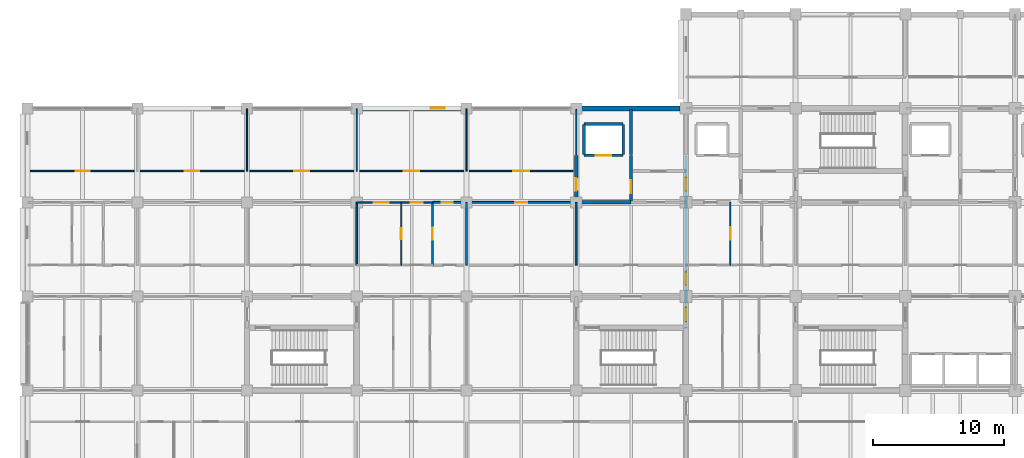
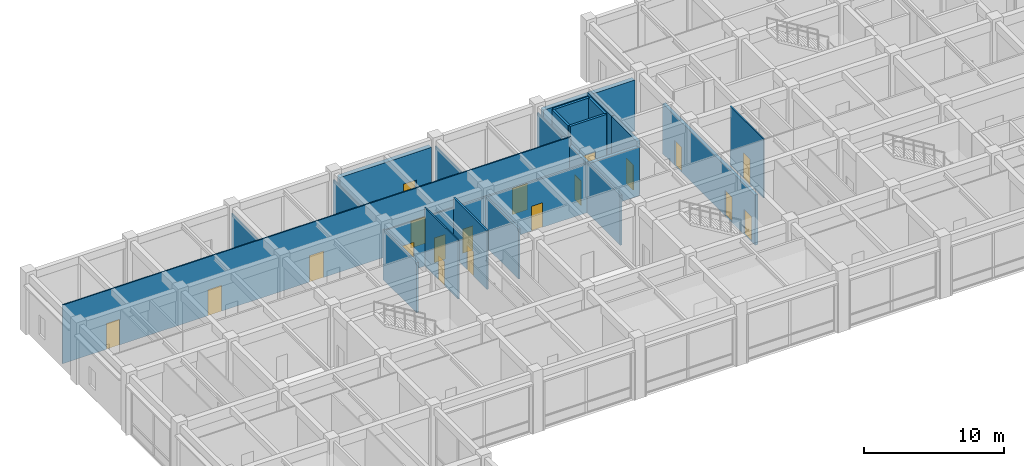
# One storey, part 28 of 51: 24 walls, 18 doors, 1 window, 19 openings.
"""IFC4 building model written with IfcOpenShell, lengths in metres."""

from ifc_helpers import new_model, si_unit, direction, frame, frame_2d, origin, place, context, subcontext, project, spatial, rectangle, extrude, material, layer, layer_set, type_object, element, fill, save


model = new_model("IFC4")

# Units and contexts
model_context = context("Model", 3, precision=1e-05, world=origin(), true_north=direction((0.0, 1.0)))
body_context = subcontext(model_context, "Body", "Model", "MODEL_VIEW")
ifc_project = project(units=[si_unit("LENGTHUNIT", "METRE"), si_unit("AREAUNIT", "SQUARE_METRE"), si_unit("VOLUMEUNIT", "CUBIC_METRE"), si_unit("PLANEANGLEUNIT", "RADIAN"), si_unit("MASSUNIT", "GRAM", prefix="KILO")], contexts=[model_context])

# Site, building, storey
site_placement = place(None, origin())
site = spatial("IfcSite", under=ifc_project, at=site_placement, CompositionType="ELEMENT")
building_placement = place(site_placement, origin())
building = spatial("IfcBuilding", under=site, at=building_placement, Name="Chengyuan Square Courthouse", CompositionType="ELEMENT")
storey_placement = place(building_placement, frame((0.0, 0.0, 10.800048828125)))
storey = spatial("IfcBuildingStorey", under=building, at=storey_placement, Name="L03", CompositionType="ELEMENT", Elevation=10.800048828125)

# Wall, opening, window
ifc_material_1 = material(Name="Concrete C40", Category="concrete")
ifc_layer_1 = layer(ifc_material_1, 0.3798828125)
ifc_layer_set_1 = layer_set([ifc_layer_1], Name="Concrete C40")
wall_type_1 = type_object("IfcWallType", Name="WL-EW1", PredefinedType="STANDARD", material=ifc_layer_set_1)
wall_1_placement = place(storey_placement, frame((25.6201171875, 108.0, 0.0), z_axis=(0.0, 0.0, 1.0), x_axis=(1.0, 0.0, 0.0)))
wall_1 = element("IfcWall", 1, at=wall_1_placement, inside=storey, type_object=wall_type_1, Name="Exterior Wall WL-L03-E269", PredefinedType="STANDARD", context=body_context, shape_type="SweptSolid", body=[
    extrude(rectangle(XDim=7.559814453125, YDim=0.3798828125, at=frame_2d((3.77978515625, 0.0))), origin(), (0.0, 0.0, 1.0), 4.469970703125),
])
opening_1_placement = place(wall_1_placement, frame((5.2548828125, 0.0, 0.85009765625)))
opening_1 = element("IfcOpeningElement", 2, at=opening_1_placement, cuts=wall_1, Name="Opening WN-068", PredefinedType="OPENING", context=body_context, shape_type="SweptSolid", body=[
    extrude(rectangle(XDim=1.050048828125, YDim=1.199951171875, at=frame_2d((0.52490234375, 0.60009765625))), frame((0.0, 0.201904296875, 0.0), z_axis=(0.0, -1.0, 0.0), x_axis=(1.0, 0.0, 0.0)), (0.0, 0.0, 1.0), 0.40380859375),
])
ifc_material_2 = material(Name="Thermally Broken Aluminium Triple Low-E Window", Category="aluminium")
window_type = type_object("IfcWindowType", Name="WT-07", PartitioningType="SINGLE_PANEL", PredefinedType="WINDOW", material=ifc_material_2)
window_placement = place(opening_1_placement, origin())
window = element("IfcWindow", 3, at=window_placement, inside=storey, type_object=window_type, Name="Facade Window WN-068", OverallHeight=1.199951171875, OverallWidth=1.050048828125, PartitioningType="SINGLE_PANEL", PredefinedType="WINDOW", context=body_context, shape_type="SweptSolid", body=[
    extrude(rectangle(XDim=1.050048828125, YDim=1.199951171875, at=frame_2d((0.52490234375, 0.60009765625))), frame((0.0, 0.030029296875, 0.0), z_axis=(0.0, -1.0, 0.0), x_axis=(1.0, 0.0, 0.0)), (0.0, 0.0, 1.0), 0.06005859375),
])
fill(opening_1, window)

# Walls
wall_2_placement = place(storey_placement, frame((42.419921875, 108.0, 0.0), z_axis=(0.0, 0.0, 1.0), x_axis=(1.0, 0.0, 0.0)))
element("IfcWall", 4, at=wall_2_placement, inside=storey, type_object=wall_type_1, Name="Exterior Wall WL-L03-E270", PredefinedType="STANDARD", context=body_context, shape_type="SweptSolid", body=[
    extrude(rectangle(XDim=7.53515625, YDim=0.3798828125, at=frame_2d((3.767578125, 0.0))), origin(), (0.0, 0.0, 1.0), 4.469970703125),
])
ifc_layer_2 = layer(ifc_material_1, 0.25)
ifc_layer_set_2 = layer_set([ifc_layer_2], Name="Concrete C40")
wall_type_2 = type_object("IfcWallType", Name="WL-FW1", PredefinedType="STANDARD", material=ifc_layer_set_2)
wall_3_placement = place(storey_placement, frame((42.0, 100.800048828125, 0.0), z_axis=(0.0, 0.0, 1.0), x_axis=(1.0, 0.0, 0.0)))
element("IfcWall", 5, at=wall_3_placement, inside=storey, type_object=wall_type_2, Name="Interior Wall WL-L03-I1479", PredefinedType="STANDARD", context=body_context, shape_type="SweptSolid", body=[
    extrude(rectangle(XDim=4.199951171875, YDim=0.25, at=frame_2d((2.10009765625, 0.0))), origin(), (0.0, 0.0, 1.0), 4.27001953125),
])

# Wall, opening, door
wall_4_placement = place(storey_placement, frame((42.0, 100.800048828125, 0.0), z_axis=(0.0, 0.0, 1.0), x_axis=(0.0, 1.0, 0.0)))
wall_4 = element("IfcWall", 6, at=wall_4_placement, inside=storey, type_object=wall_type_2, Name="Interior Wall WL-L03-I1585", PredefinedType="STANDARD", context=body_context, shape_type="SweptSolid", body=[
    extrude(rectangle(XDim=3.599853515625, YDim=0.25, at=frame_2d((1.7998046875, 0.0))), origin(), (0.0, 0.0, 1.0), 4.369873046875),
])
opening_2_placement = place(wall_4_placement, frame((0.8974609375, 0.0, 0.0)))
opening_2 = element("IfcOpeningElement", 7, at=opening_2_placement, cuts=wall_4, Name="Opening DR-1382", PredefinedType="OPENING", context=body_context, shape_type="SweptSolid", body=[
    extrude(rectangle(XDim=0.949951171875, YDim=2.14990234375, at=frame_2d((0.47509765625, 1.074951171875))), frame((0.0, 0.136962890625, 0.0), z_axis=(0.0, -1.0, 0.0), x_axis=(1.0, 0.0, 0.0)), (0.0, 0.0, 1.0), 0.27392578125),
])
ifc_material_3 = material(Name="Steel Q235B Fire Door", Category="steel")
door_type_1 = type_object("IfcDoorType", Name="DT-12", OperationType="NOTDEFINED", PredefinedType="DOOR", material=ifc_material_3)
door_1_placement = place(opening_2_placement, origin())
door_1 = element("IfcDoor", 8, at=door_1_placement, inside=storey, type_object=door_type_1, Name="Interior Door DR-1382", OperationType="SINGLE_SWING_LEFT", OverallHeight=2.14990234375, OverallWidth=0.949951171875, PredefinedType="DOOR", context=body_context, shape_type="SweptSolid", body=[
    extrude(rectangle(XDim=0.949951171875, YDim=2.14990234375, at=frame_2d((0.47509765625, 1.074951171875))), frame((0.0, 0.02490234375, 0.0), z_axis=(0.0, -1.0, 0.0), x_axis=(1.0, 0.0, 0.0)), (0.0, 0.0, 1.0), 0.050048828125),
])
fill(opening_2, door_1)

wall_5_placement = place(storey_placement, frame((46.199951171875, 100.800048828125, 0.0), z_axis=(0.0, 0.0, 1.0), x_axis=(0.0, 1.0, 0.0)))
wall_5 = element("IfcWall", 9, at=wall_5_placement, inside=storey, type_object=wall_type_2, Name="Interior Wall WL-L03-I1589", PredefinedType="STANDARD", context=body_context, shape_type="SweptSolid", body=[
    extrude(rectangle(XDim=3.599853515625, YDim=0.25, at=frame_2d((1.7998046875, 0.0))), origin(), (0.0, 0.0, 1.0), 4.719970703125),
])
opening_3_placement = place(wall_5_placement, frame((0.699951171875, 0.0, 0.0)))
opening_3 = element("IfcOpeningElement", 10, at=opening_3_placement, cuts=wall_5, Name="Opening DR-1381", PredefinedType="OPENING", context=body_context, shape_type="SweptSolid", body=[
    extrude(rectangle(XDim=1.0, YDim=2.199951171875, at=frame_2d((0.5, 1.10009765625))), frame((0.0, 0.136962890625, 0.0), z_axis=(0.0, -1.0, 0.0), x_axis=(1.0, 0.0, 0.0)), (0.0, 0.0, 1.0), 0.27392578125),
])
door_type_2 = type_object("IfcDoorType", Name="DT-11", OperationType="NOTDEFINED", PredefinedType="DOOR", material=ifc_material_3)
door_2_placement = place(opening_3_placement, origin())
door_2 = element("IfcDoor", 11, at=door_2_placement, inside=storey, type_object=door_type_2, Name="Interior Door DR-1381", OperationType="SINGLE_SWING_RIGHT", OverallHeight=2.199951171875, OverallWidth=1.0, PredefinedType="DOOR", context=body_context, shape_type="SweptSolid", body=[
    extrude(rectangle(XDim=1.0, YDim=2.199951171875, at=frame_2d((0.5, 1.10009765625))), frame((0.0, 0.02490234375, 0.0), z_axis=(0.0, -1.0, 0.0), x_axis=(1.0, 0.0, 0.0)), (0.0, 0.0, 1.0), 0.050048828125),
])
fill(opening_3, door_2)

# Wall
wall_6_placement = place(storey_placement, frame((46.199951171875, 104.449951171875, 0.0), z_axis=(0.0, 0.0, 1.0), x_axis=(0.0, 1.0, 0.0)))
element("IfcWall", 12, at=wall_6_placement, inside=storey, type_object=wall_type_2, Name="Interior Wall WL-L03-I1590", PredefinedType="STANDARD", context=body_context, shape_type="SweptSolid", body=[
    extrude(rectangle(XDim=3.4599609375, YDim=0.25, at=frame_2d((1.72998046875, 0.0))), origin(), (0.0, 0.0, 1.0), 4.719970703125),
])

# Wall, openings, doors
wall_7_placement = place(storey_placement, frame((50.39990234375, 91.199951171875, 0.0), z_axis=(0.0, 0.0, 1.0), x_axis=(0.0, 1.0, 0.0)))
wall_7 = element("IfcWall", 13, at=wall_7_placement, inside=storey, type_object=wall_type_2, Name="Interior Wall WL-L03-I1593", PredefinedType="STANDARD", context=body_context, shape_type="SweptSolid", body=[
    extrude(rectangle(XDim=13.199951171875, YDim=0.25, at=frame_2d((6.60009765625, 0.0))), origin(), (0.0, 0.0, 1.0), 4.369873046875),
])
opening_4_placement = place(wall_7_placement, frame((0.465087890625, 0.0, 0.0)))
opening_4 = element("IfcOpeningElement", 14, at=opening_4_placement, cuts=wall_7, Name="Opening DR-1341", PredefinedType="OPENING", context=body_context, shape_type="SweptSolid", body=[
    extrude(rectangle(XDim=1.10009765625, YDim=2.199951171875, at=frame_2d((0.550048828125, 1.10009765625))), frame((0.0, 0.136962890625, 0.0), z_axis=(0.0, -1.0, 0.0), x_axis=(1.0, 0.0, 0.0)), (0.0, 0.0, 1.0), 0.27392578125),
])
opening_5_placement = place(wall_7_placement, frame((10.485107421875, 0.0, 0.0)))
opening_5 = element("IfcOpeningElement", 15, at=opening_5_placement, cuts=wall_7, Name="Opening DR-1384", PredefinedType="OPENING", context=body_context, shape_type="SweptSolid", body=[
    extrude(rectangle(XDim=1.0, YDim=2.199951171875, at=frame_2d((0.5, 1.10009765625))), frame((0.0, 0.136962890625, 0.0), z_axis=(0.0, -1.0, 0.0), x_axis=(1.0, 0.0, 0.0)), (0.0, 0.0, 1.0), 0.27392578125),
])
opening_6_placement = place(wall_7_placement, frame((3.284912109375, 0.0, 0.0)))
opening_6 = element("IfcOpeningElement", 16, at=opening_6_placement, cuts=wall_7, Name="Opening DR-1447", PredefinedType="OPENING", context=body_context, shape_type="SweptSolid", body=[
    extrude(rectangle(XDim=1.0, YDim=2.199951171875, at=frame_2d((0.5, 1.10009765625))), frame((0.0, 0.136962890625, 0.0), z_axis=(0.0, -1.0, 0.0), x_axis=(1.0, 0.0, 0.0)), (0.0, 0.0, 1.0), 0.27392578125),
])
door_type_3 = type_object("IfcDoorType", Name="DT-10", OperationType="NOTDEFINED", PredefinedType="DOOR", material=ifc_material_3)
door_3_placement = place(opening_4_placement, origin())
door_3 = element("IfcDoor", 17, at=door_3_placement, inside=storey, type_object=door_type_3, Name="Interior Door DR-1341", OperationType="SINGLE_SWING_LEFT", OverallHeight=2.199951171875, OverallWidth=1.10009765625, PredefinedType="DOOR", context=body_context, shape_type="SweptSolid", body=[
    extrude(rectangle(XDim=1.10009765625, YDim=2.199951171875, at=frame_2d((0.550048828125, 1.10009765625))), frame((0.0, 0.02490234375, 0.0), z_axis=(0.0, -1.0, 0.0), x_axis=(1.0, 0.0, 0.0)), (0.0, 0.0, 1.0), 0.050048828125),
])
fill(opening_4, door_3)
door_4_placement = place(opening_5_placement, origin())
door_4 = element("IfcDoor", 18, at=door_4_placement, inside=storey, type_object=door_type_2, Name="Interior Door DR-1384", OperationType="SINGLE_SWING_LEFT", OverallHeight=2.199951171875, OverallWidth=1.0, PredefinedType="DOOR", context=body_context, shape_type="SweptSolid", body=[
    extrude(rectangle(XDim=1.0, YDim=2.199951171875, at=frame_2d((0.5, 1.10009765625))), frame((0.0, 0.02490234375, 0.0), z_axis=(0.0, -1.0, 0.0), x_axis=(1.0, 0.0, 0.0)), (0.0, 0.0, 1.0), 0.050048828125),
])
fill(opening_5, door_4)
door_5_placement = place(opening_6_placement, origin())
door_5 = element("IfcDoor", 19, at=door_5_placement, inside=storey, type_object=door_type_2, Name="Interior Door DR-1447", OperationType="SINGLE_SWING_RIGHT", OverallHeight=2.199951171875, OverallWidth=1.0, PredefinedType="DOOR", context=body_context, shape_type="SweptSolid", body=[
    extrude(rectangle(XDim=1.0, YDim=2.199951171875, at=frame_2d((0.5, 1.10009765625))), frame((0.0, 0.02490234375, 0.0), z_axis=(0.0, -1.0, 0.0), x_axis=(1.0, 0.0, 0.0)), (0.0, 0.0, 1.0), 0.050048828125),
])
fill(opening_6, door_5)

ifc_material_4 = material(Name="Deliberation Room Sound-Insulated Partition")
ifc_layer_3 = layer(ifc_material_4, 0.14990234375)
ifc_layer_set_3 = layer_set([ifc_layer_3], Name="Deliberation Room Sound-Insulated Partition")
wall_type_3 = type_object("IfcWallType", Name="WL-PT3", PredefinedType="STANDARD", material=ifc_layer_set_3)
wall_8_placement = place(storey_placement, frame((31.0, 100.800048828125, 0.0), z_axis=(0.0, 0.0, 1.0), x_axis=(1.0, 0.0, 0.0)))
wall_8 = element("IfcWall", 20, at=wall_8_placement, inside=storey, type_object=wall_type_3, Name="Interior Wall WL-L03-I1478", PredefinedType="STANDARD", context=body_context, shape_type="SweptSolid", body=[
    extrude(rectangle(XDim=11.0, YDim=0.14990234375, at=frame_2d((5.5, 0.0))), origin(), (0.0, 0.0, 1.0), 4.27001953125),
])
opening_7_placement = place(wall_8_placement, frame((0.697509765625, 0.0, 0.0)))
opening_7 = element("IfcOpeningElement", 21, at=opening_7_placement, cuts=wall_8, Name="Opening DR-1426", PredefinedType="OPENING", context=body_context, shape_type="SweptSolid", body=[
    extrude(rectangle(XDim=0.860107421875, YDim=2.10009765625, at=frame_2d((0.43017578125, 1.050048828125))), frame((0.0, 0.0869140625, 0.0), z_axis=(0.0, -1.0, 0.0), x_axis=(1.0, 0.0, 0.0)), (0.0, 0.0, 1.0), 0.173828125),
])
opening_8_placement = place(wall_8_placement, frame((6.340087890625, 0.0, 0.0)))
opening_8 = element("IfcOpeningElement", 22, at=opening_8_placement, cuts=wall_8, Name="Opening DR-1427", PredefinedType="OPENING", context=body_context, shape_type="SweptSolid", body=[
    extrude(rectangle(XDim=0.919921875, YDim=2.14990234375, at=frame_2d((0.4599609375, 1.074951171875))), frame((0.0, 0.0869140625, 0.0), z_axis=(0.0, -1.0, 0.0), x_axis=(1.0, 0.0, 0.0)), (0.0, 0.0, 1.0), 0.173828125),
])
ifc_material_5 = material(Name="Acoustic Solid-Core Timber Door", Category="wood")
door_type_4 = type_object("IfcDoorType", Name="DT-28", OperationType="NOTDEFINED", PredefinedType="DOOR", material=ifc_material_5)
door_6_placement = place(opening_7_placement, origin())
door_6 = element("IfcDoor", 23, at=door_6_placement, inside=storey, type_object=door_type_4, Name="Interior Door DR-1426", OperationType="SINGLE_SWING_RIGHT", OverallHeight=2.10009765625, OverallWidth=0.860107421875, PredefinedType="DOOR", context=body_context, shape_type="SweptSolid", body=[
    extrude(rectangle(XDim=0.860107421875, YDim=2.10009765625, at=frame_2d((0.43017578125, 1.050048828125))), frame((0.0, 0.02490234375, 0.0), z_axis=(0.0, -1.0, 0.0), x_axis=(1.0, 0.0, 0.0)), (0.0, 0.0, 1.0), 0.050048828125),
])
fill(opening_7, door_6)
door_type_5 = type_object("IfcDoorType", Name="DT-29", OperationType="NOTDEFINED", PredefinedType="DOOR", material=ifc_material_5)
door_7_placement = place(opening_8_placement, origin())
door_7 = element("IfcDoor", 24, at=door_7_placement, inside=storey, type_object=door_type_5, Name="Interior Door DR-1427", OperationType="SINGLE_SWING_LEFT", OverallHeight=2.14990234375, OverallWidth=0.919921875, PredefinedType="DOOR", context=body_context, shape_type="SweptSolid", body=[
    extrude(rectangle(XDim=0.919921875, YDim=2.14990234375, at=frame_2d((0.4599609375, 1.074951171875))), frame((0.0, 0.02490234375, 0.0), z_axis=(0.0, -1.0, 0.0), x_axis=(1.0, 0.0, 0.0)), (0.0, 0.0, 1.0), 0.050048828125),
])
fill(opening_8, door_7)

# Wall
wall_9_placement = place(storey_placement, frame((25.199951171875, 96.0, 0.0), z_axis=(0.0, 0.0, 1.0), x_axis=(0.0, 1.0, 0.0)))
element("IfcWall", 25, at=wall_9_placement, inside=storey, type_object=wall_type_3, Name="Interior Wall WL-L03-I1572", PredefinedType="STANDARD", context=body_context, shape_type="SweptSolid", body=[
    extrude(rectangle(XDim=4.800048828125, YDim=0.14990234375, at=frame_2d((2.39990234375, 0.0))), origin(), (0.0, 0.0, 1.0), 4.369873046875),
])

# Wall, opening, door
wall_10_placement = place(storey_placement, frame((31.0, 96.0, 0.0), z_axis=(0.0, 0.0, 1.0), x_axis=(0.0, 1.0, 0.0)))
wall_10 = element("IfcWall", 26, at=wall_10_placement, inside=storey, type_object=wall_type_3, Name="Interior Wall WL-L03-I1577", PredefinedType="STANDARD", context=body_context, shape_type="SweptSolid", body=[
    extrude(rectangle(XDim=4.800048828125, YDim=0.14990234375, at=frame_2d((2.39990234375, 0.0))), origin(), (0.0, 0.0, 1.0), 5.119873046875),
])
opening_9_placement = place(wall_10_placement, frame((1.93994140625, 0.0, 0.0)))
opening_9 = element("IfcOpeningElement", 27, at=opening_9_placement, cuts=wall_10, Name="Opening DR-1512", PredefinedType="OPENING", context=body_context, shape_type="SweptSolid", body=[
    extrude(rectangle(XDim=0.919921875, YDim=2.14990234375, at=frame_2d((0.4599609375, 1.074951171875))), frame((0.0, 0.0869140625, 0.0), z_axis=(0.0, -1.0, 0.0), x_axis=(1.0, 0.0, 0.0)), (0.0, 0.0, 1.0), 0.173828125),
])
door_8_placement = place(opening_9_placement, origin())
door_8 = element("IfcDoor", 28, at=door_8_placement, inside=storey, type_object=door_type_5, Name="Interior Door DR-1512", OperationType="SINGLE_SWING_RIGHT", OverallHeight=2.14990234375, OverallWidth=0.919921875, PredefinedType="DOOR", context=body_context, shape_type="SweptSolid", body=[
    extrude(rectangle(XDim=0.919921875, YDim=2.14990234375, at=frame_2d((0.4599609375, 1.074951171875))), frame((0.0, 0.02490234375, 0.0), z_axis=(0.0, -1.0, 0.0), x_axis=(1.0, 0.0, 0.0)), (0.0, 0.0, 1.0), 0.050048828125),
])
fill(opening_9, door_8)

# Walls
for number, where, z_axis, x_axis, name in (
    (29, (33.60009765625, 96.0, 0.0), (0.0, 0.0, 1.0), (0.0, 1.0, 0.0), "Interior Wall WL-L03-I1580"),
    (30, (42.0, 96.0, 0.0), (0.0, 0.0, 1.0), (0.0, 1.0, 0.0), "Interior Wall WL-L03-I1584"),
):
    element("IfcWall", number, at=place(storey_placement, frame(where, z_axis=z_axis, x_axis=x_axis)), inside=storey, type_object=wall_type_3, Name=name, PredefinedType="STANDARD", context=body_context, shape_type="SweptSolid", body=[
        extrude(rectangle(XDim=4.800048828125, YDim=0.14990234375, at=frame_2d((2.39990234375, 0.0))), origin(), (0.0, 0.0, 1.0), 4.369873046875),
    ])

# Wall, openings, doors
ifc_material_6 = material(Name="Gypsum Plasterboard Acoustic Stud Partition")
ifc_layer_4 = layer(ifc_material_6, 0.10009765625)
ifc_layer_set_4 = layer_set([ifc_layer_4], Name="Gypsum Plasterboard Acoustic Stud Partition")
wall_type_4 = type_object("IfcWallType", Name="WL-PT6", PredefinedType="STANDARD", material=ifc_layer_set_4)
wall_11_placement = place(storey_placement, frame((25.199951171875, 100.800048828125, 0.0), z_axis=(0.0, 0.0, 1.0), x_axis=(1.0, 0.0, 0.0)))
wall_11 = element("IfcWall", 31, at=wall_11_placement, inside=storey, type_object=wall_type_4, Name="Interior Wall WL-L03-I1477", PredefinedType="STANDARD", context=body_context, shape_type="SweptSolid", body=[
    extrude(rectangle(XDim=5.800048828125, YDim=0.10009765625, at=frame_2d((2.89990234375, 0.0))), origin(), (0.0, 0.0, 1.0), 4.27001953125),
])
opening_10_placement = place(wall_11_placement, frame((1.302490234375, 0.0, 0.0)))
opening_10 = element("IfcOpeningElement", 32, at=opening_10_placement, cuts=wall_11, Name="Opening DR-1424", PredefinedType="OPENING", context=body_context, shape_type="SweptSolid", body=[
    extrude(rectangle(XDim=1.139892578125, YDim=2.39990234375, at=frame_2d((0.56982421875, 1.199951171875))), frame((0.0, 0.06201171875, 0.0), z_axis=(0.0, -1.0, 0.0), x_axis=(1.0, 0.0, 0.0)), (0.0, 0.0, 1.0), 0.1240234375),
])
opening_11_placement = place(wall_11_placement, frame((4.14990234375, 0.0, 0.0)))
opening_11 = element("IfcOpeningElement", 33, at=opening_11_placement, cuts=wall_11, Name="Opening DR-1425", PredefinedType="OPENING", context=body_context, shape_type="SweptSolid", body=[
    extrude(rectangle(XDim=0.89990234375, YDim=2.14990234375, at=frame_2d((0.449951171875, 1.074951171875))), frame((0.0, 0.06201171875, 0.0), z_axis=(0.0, -1.0, 0.0), x_axis=(1.0, 0.0, 0.0)), (0.0, 0.0, 1.0), 0.1240234375),
])
door_type_6 = type_object("IfcDoorType", Name="DT-27", OperationType="NOTDEFINED", PredefinedType="DOOR", material=ifc_material_5)
door_9_placement = place(opening_11_placement, origin())
door_9 = element("IfcDoor", 34, at=door_9_placement, inside=storey, type_object=door_type_6, Name="Interior Door DR-1425", OperationType="SINGLE_SWING_LEFT", OverallHeight=2.14990234375, OverallWidth=0.89990234375, PredefinedType="DOOR", context=body_context, shape_type="SweptSolid", body=[
    extrude(rectangle(XDim=0.89990234375, YDim=2.14990234375, at=frame_2d((0.449951171875, 1.074951171875))), frame((0.0, 0.02490234375, 0.0), z_axis=(0.0, -1.0, 0.0), x_axis=(1.0, 0.0, 0.0)), (0.0, 0.0, 1.0), 0.050048828125),
])
fill(opening_11, door_9)
door_type_7 = type_object("IfcDoorType", Name="DT-43", OperationType="NOTDEFINED", PredefinedType="DOOR", material=ifc_material_5)
door_10_placement = place(opening_10_placement, origin())
door_10 = element("IfcDoor", 35, at=door_10_placement, inside=storey, type_object=door_type_7, Name="Interior Door DR-1424", OperationType="SINGLE_SWING_RIGHT", OverallHeight=2.39990234375, OverallWidth=1.139892578125, PredefinedType="DOOR", context=body_context, shape_type="SweptSolid", body=[
    extrude(rectangle(XDim=1.139892578125, YDim=2.39990234375, at=frame_2d((0.56982421875, 1.199951171875))), frame((0.0, 0.02490234375, 0.0), z_axis=(0.0, -1.0, 0.0), x_axis=(1.0, 0.0, 0.0)), (0.0, 0.0, 1.0), 0.050048828125),
])
fill(opening_10, door_10)

wall_12_placement = place(storey_placement, frame((0.0400390625, 103.199951171875, 0.0), z_axis=(0.0, 0.0, 1.0), x_axis=(1.0, 0.0, 0.0)))
wall_12 = element("IfcWall", 36, at=wall_12_placement, inside=storey, type_object=wall_type_4, Name="Interior Wall WL-L03-I1498", PredefinedType="STANDARD", context=body_context, shape_type="SweptSolid", body=[
    extrude(rectangle(XDim=41.9599609375, YDim=0.10009765625, at=frame_2d((20.97998046875, 0.0))), origin(), (0.0, 0.0, 1.0), 5.119873046875),
])
opening_12_placement = place(wall_12_placement, frame((3.639892578125, 0.0, 0.0)))
opening_12 = element("IfcOpeningElement", 37, at=opening_12_placement, cuts=wall_12, Name="Opening DR-1414", PredefinedType="OPENING", context=body_context, shape_type="SweptSolid", body=[
    extrude(rectangle(XDim=1.080078125, YDim=2.25, at=frame_2d((0.5400390625, 1.125))), frame((0.0, 0.06201171875, 0.0), z_axis=(0.0, -1.0, 0.0), x_axis=(1.0, 0.0, 0.0)), (0.0, 0.0, 1.0), 0.1240234375),
])
opening_13_placement = place(wall_12_placement, frame((12.0, 0.0, 0.0)))
opening_13 = element("IfcOpeningElement", 38, at=opening_13_placement, cuts=wall_12, Name="Opening DR-1415", PredefinedType="OPENING", context=body_context, shape_type="SweptSolid", body=[
    extrude(rectangle(XDim=1.1201171875, YDim=2.25, at=frame_2d((0.56005859375, 1.125))), frame((0.0, 0.06201171875, 0.0), z_axis=(0.0, -1.0, 0.0), x_axis=(1.0, 0.0, 0.0)), (0.0, 0.0, 1.0), 0.1240234375),
])
opening_14_placement = place(wall_12_placement, frame((20.3798828125, 0.0, 0.0)))
opening_14 = element("IfcOpeningElement", 39, at=opening_14_placement, cuts=wall_12, Name="Opening DR-1416", PredefinedType="OPENING", context=body_context, shape_type="SweptSolid", body=[
    extrude(rectangle(XDim=1.159912109375, YDim=2.300048828125, at=frame_2d((0.580078125, 1.14990234375))), frame((0.0, 0.06201171875, 0.0), z_axis=(0.0, -1.0, 0.0), x_axis=(1.0, 0.0, 0.0)), (0.0, 0.0, 1.0), 0.1240234375),
])
opening_15_placement = place(wall_12_placement, frame((28.760009765625, 0.0, 0.0)))
opening_15 = element("IfcOpeningElement", 40, at=opening_15_placement, cuts=wall_12, Name="Opening DR-1417", PredefinedType="OPENING", context=body_context, shape_type="SweptSolid", body=[
    extrude(rectangle(XDim=1.199951171875, YDim=2.35009765625, at=frame_2d((0.60009765625, 1.175048828125))), frame((0.0, 0.06201171875, 0.0), z_axis=(0.0, -1.0, 0.0), x_axis=(1.0, 0.0, 0.0)), (0.0, 0.0, 1.0), 0.1240234375),
])
opening_16_placement = place(wall_12_placement, frame((37.139892578125, 0.0, 0.0)))
opening_16 = element("IfcOpeningElement", 41, at=opening_16_placement, cuts=wall_12, Name="Opening DR-1418", PredefinedType="OPENING", context=body_context, shape_type="SweptSolid", body=[
    extrude(rectangle(XDim=1.239990234375, YDim=2.300048828125, at=frame_2d((0.6201171875, 1.14990234375))), frame((0.0, 0.06201171875, 0.0), z_axis=(0.0, -1.0, 0.0), x_axis=(1.0, 0.0, 0.0)), (0.0, 0.0, 1.0), 0.1240234375),
])
door_type_8 = type_object("IfcDoorType", Name="DT-33", OperationType="NOTDEFINED", PredefinedType="DOOR", material=ifc_material_5)
door_11_placement = place(opening_12_placement, origin())
door_11 = element("IfcDoor", 42, at=door_11_placement, inside=storey, type_object=door_type_8, Name="Interior Door DR-1414", OperationType="SINGLE_SWING_RIGHT", OverallHeight=2.25, OverallWidth=1.080078125, PredefinedType="DOOR", context=body_context, shape_type="SweptSolid", body=[
    extrude(rectangle(XDim=1.080078125, YDim=2.25, at=frame_2d((0.5400390625, 1.125))), frame((0.0, 0.02490234375, 0.0), z_axis=(0.0, -1.0, 0.0), x_axis=(1.0, 0.0, 0.0)), (0.0, 0.0, 1.0), 0.050048828125),
])
fill(opening_12, door_11)
door_type_9 = type_object("IfcDoorType", Name="DT-34", OperationType="NOTDEFINED", PredefinedType="DOOR", material=ifc_material_5)
door_12_placement = place(opening_13_placement, origin())
door_12 = element("IfcDoor", 43, at=door_12_placement, inside=storey, type_object=door_type_9, Name="Interior Door DR-1415", OperationType="SINGLE_SWING_LEFT", OverallHeight=2.25, OverallWidth=1.1201171875, PredefinedType="DOOR", context=body_context, shape_type="SweptSolid", body=[
    extrude(rectangle(XDim=1.1201171875, YDim=2.25, at=frame_2d((0.56005859375, 1.125))), frame((0.0, 0.02490234375, 0.0), z_axis=(0.0, -1.0, 0.0), x_axis=(1.0, 0.0, 0.0)), (0.0, 0.0, 1.0), 0.050048828125),
])
fill(opening_13, door_12)
door_type_10 = type_object("IfcDoorType", Name="DT-35", OperationType="NOTDEFINED", PredefinedType="DOOR", material=ifc_material_5)
door_13_placement = place(opening_14_placement, origin())
door_13 = element("IfcDoor", 44, at=door_13_placement, inside=storey, type_object=door_type_10, Name="Interior Door DR-1416", OperationType="SINGLE_SWING_RIGHT", OverallHeight=2.300048828125, OverallWidth=1.159912109375, PredefinedType="DOOR", context=body_context, shape_type="SweptSolid", body=[
    extrude(rectangle(XDim=1.159912109375, YDim=2.300048828125, at=frame_2d((0.580078125, 1.14990234375))), frame((0.0, 0.02490234375, 0.0), z_axis=(0.0, -1.0, 0.0), x_axis=(1.0, 0.0, 0.0)), (0.0, 0.0, 1.0), 0.050048828125),
])
fill(opening_14, door_13)
door_type_11 = type_object("IfcDoorType", Name="DT-36", OperationType="NOTDEFINED", PredefinedType="DOOR", material=ifc_material_5)
door_14_placement = place(opening_15_placement, origin())
door_14 = element("IfcDoor", 45, at=door_14_placement, inside=storey, type_object=door_type_11, Name="Interior Door DR-1417", OperationType="SINGLE_SWING_LEFT", OverallHeight=2.35009765625, OverallWidth=1.199951171875, PredefinedType="DOOR", context=body_context, shape_type="SweptSolid", body=[
    extrude(rectangle(XDim=1.199951171875, YDim=2.35009765625, at=frame_2d((0.60009765625, 1.175048828125))), frame((0.0, 0.02490234375, 0.0), z_axis=(0.0, -1.0, 0.0), x_axis=(1.0, 0.0, 0.0)), (0.0, 0.0, 1.0), 0.050048828125),
])
fill(opening_15, door_14)
door_type_12 = type_object("IfcDoorType", Name="DT-37", OperationType="NOTDEFINED", PredefinedType="DOOR", material=ifc_material_5)
door_15_placement = place(opening_16_placement, origin())
door_15 = element("IfcDoor", 46, at=door_15_placement, inside=storey, type_object=door_type_12, Name="Interior Door DR-1418", OperationType="SINGLE_SWING_RIGHT", OverallHeight=2.300048828125, OverallWidth=1.239990234375, PredefinedType="DOOR", context=body_context, shape_type="SweptSolid", body=[
    extrude(rectangle(XDim=1.239990234375, YDim=2.300048828125, at=frame_2d((0.6201171875, 1.14990234375))), frame((0.0, 0.02490234375, 0.0), z_axis=(0.0, -1.0, 0.0), x_axis=(1.0, 0.0, 0.0)), (0.0, 0.0, 1.0), 0.050048828125),
])
fill(opening_16, door_15)

# Walls
for number, where, z_axis, x_axis, name in (
    (47, (16.800048828125, 103.199951171875, 0.0), (0.0, 0.0, 1.0), (0.0, 1.0, 0.0), "Interior Wall WL-L03-I1568"),
    (48, (25.199951171875, 103.199951171875, 0.0), (0.0, 0.0, 1.0), (0.0, 1.0, 0.0), "Interior Wall WL-L03-I1573"),
):
    element("IfcWall", number, at=place(storey_placement, frame(where, z_axis=z_axis, x_axis=x_axis)), inside=storey, type_object=wall_type_4, Name=name, PredefinedType="STANDARD", context=body_context, shape_type="SweptSolid", body=[
        extrude(rectangle(XDim=4.760009765625, YDim=0.10009765625, at=frame_2d((2.3798828125, 0.0))), origin(), (0.0, 0.0, 1.0), 4.369873046875),
    ])

# Wall, opening, door
wall_13_placement = place(storey_placement, frame((28.60009765625, 96.0, 0.0), z_axis=(0.0, 0.0, 1.0), x_axis=(0.0, 1.0, 0.0)))
wall_13 = element("IfcWall", 49, at=wall_13_placement, inside=storey, type_object=wall_type_4, Name="Interior Wall WL-L03-I1575", PredefinedType="STANDARD", context=body_context, shape_type="SweptSolid", body=[
    extrude(rectangle(XDim=4.800048828125, YDim=0.10009765625, at=frame_2d((2.39990234375, 0.0))), origin(), (0.0, 0.0, 1.0), 5.119873046875),
])
opening_17_placement = place(wall_13_placement, frame((1.969970703125, 0.0, 0.0)))
opening_17 = element("IfcOpeningElement", 50, at=opening_17_placement, cuts=wall_13, Name="Opening DR-1511", PredefinedType="OPENING", context=body_context, shape_type="SweptSolid", body=[
    extrude(rectangle(XDim=0.860107421875, YDim=2.10009765625, at=frame_2d((0.43017578125, 1.050048828125))), frame((0.0, 0.06201171875, 0.0), z_axis=(0.0, -1.0, 0.0), x_axis=(1.0, 0.0, 0.0)), (0.0, 0.0, 1.0), 0.1240234375),
])
door_16_placement = place(opening_17_placement, origin())
door_16 = element("IfcDoor", 51, at=door_16_placement, inside=storey, type_object=door_type_4, Name="Interior Door DR-1511", OperationType="SINGLE_SWING_LEFT", OverallHeight=2.10009765625, OverallWidth=0.860107421875, PredefinedType="DOOR", context=body_context, shape_type="SweptSolid", body=[
    extrude(rectangle(XDim=0.860107421875, YDim=2.10009765625, at=frame_2d((0.43017578125, 1.050048828125))), frame((0.0, 0.02490234375, 0.0), z_axis=(0.0, -1.0, 0.0), x_axis=(1.0, 0.0, 0.0)), (0.0, 0.0, 1.0), 0.050048828125),
])
fill(opening_17, door_16)

# Walls
wall_14_placement = place(storey_placement, frame((33.60009765625, 103.199951171875, 0.0), z_axis=(0.0, 0.0, 1.0), x_axis=(0.0, 1.0, 0.0)))
element("IfcWall", 52, at=wall_14_placement, inside=storey, type_object=wall_type_4, Name="Interior Wall WL-L03-I1581", PredefinedType="STANDARD", context=body_context, shape_type="SweptSolid", body=[
    extrude(rectangle(XDim=4.760009765625, YDim=0.10009765625, at=frame_2d((2.3798828125, 0.0))), origin(), (0.0, 0.0, 1.0), 4.369873046875),
])
wall_15_placement = place(storey_placement, frame((42.0, 104.449951171875, 0.0), z_axis=(0.0, 0.0, 1.0), x_axis=(0.0, 1.0, 0.0)))
element("IfcWall", 53, at=wall_15_placement, inside=storey, type_object=wall_type_4, Name="Interior Wall WL-L03-I1586", PredefinedType="STANDARD", context=body_context, shape_type="SweptSolid", body=[
    extrude(rectangle(XDim=3.4599609375, YDim=0.10009765625, at=frame_2d((1.72998046875, 0.0))), origin(), (0.0, 0.0, 1.0), 4.369873046875),
])

# Wall, opening, door
wall_16_placement = place(storey_placement, frame((53.800048828125, 96.0, 0.0), z_axis=(0.0, 0.0, 1.0), x_axis=(0.0, 1.0, 0.0)))
wall_16 = element("IfcWall", 54, at=wall_16_placement, inside=storey, type_object=wall_type_4, Name="Interior Wall WL-L03-I1598", PredefinedType="STANDARD", context=body_context, shape_type="SweptSolid", body=[
    extrude(rectangle(XDim=4.800048828125, YDim=0.10009765625, at=frame_2d((2.39990234375, 0.0))), origin(), (0.0, 0.0, 1.0), 5.119873046875),
])
opening_18_placement = place(wall_16_placement, frame((1.919921875, 0.0, 0.0)))
opening_18 = element("IfcOpeningElement", 55, at=opening_18_placement, cuts=wall_16, Name="Opening DR-1513", PredefinedType="OPENING", context=body_context, shape_type="SweptSolid", body=[
    extrude(rectangle(XDim=0.9599609375, YDim=2.199951171875, at=frame_2d((0.47998046875, 1.10009765625))), frame((0.0, 0.06201171875, 0.0), z_axis=(0.0, -1.0, 0.0), x_axis=(1.0, 0.0, 0.0)), (0.0, 0.0, 1.0), 0.1240234375),
])
door_type_13 = type_object("IfcDoorType", Name="DT-30", OperationType="NOTDEFINED", PredefinedType="DOOR", material=ifc_material_5)
door_17_placement = place(opening_18_placement, origin())
door_17 = element("IfcDoor", 56, at=door_17_placement, inside=storey, type_object=door_type_13, Name="Interior Door DR-1513", OperationType="SINGLE_SWING_LEFT", OverallHeight=2.199951171875, OverallWidth=0.9599609375, PredefinedType="DOOR", context=body_context, shape_type="SweptSolid", body=[
    extrude(rectangle(XDim=0.9599609375, YDim=2.199951171875, at=frame_2d((0.47998046875, 1.10009765625))), frame((0.0, 0.02490234375, 0.0), z_axis=(0.0, -1.0, 0.0), x_axis=(1.0, 0.0, 0.0)), (0.0, 0.0, 1.0), 0.050048828125),
])
fill(opening_18, door_17)

ifc_material_7 = material(Name="Reinforced Masonry Shaft Enclosure", Category="masonry")
ifc_layer_5 = layer(ifc_material_7, 0.199951171875)
ifc_layer_set_5 = layer_set([ifc_layer_5], Name="Reinforced Masonry Shaft Enclosure")
wall_type_5 = type_object("IfcWallType", Name="WL-SH1", PredefinedType="STANDARD", material=ifc_layer_set_5)
wall_17_placement = place(storey_placement, frame((42.60009765625, 104.39990234375, 0.0), z_axis=(0.0, 0.0, 1.0), x_axis=(1.0, 0.0, 0.0)))
wall_17 = element("IfcWall", 57, at=wall_17_placement, inside=storey, type_object=wall_type_5, Name="Interior Wall WL-L03-I1508", PredefinedType="STANDARD", context=body_context, shape_type="SweptSolid", body=[
    extrude(rectangle(XDim=3.0, YDim=0.199951171875, at=frame_2d((1.5, 0.0))), origin(), (0.0, 0.0, 1.0), 5.119873046875),
])
opening_19_placement = place(wall_17_placement, frame((0.89990234375, 0.0, 0.0)))
opening_19 = element("IfcOpeningElement", 58, at=opening_19_placement, cuts=wall_17, Name="Opening LD-055", PredefinedType="OPENING", context=body_context, shape_type="SweptSolid", body=[
    extrude(rectangle(XDim=1.199951171875, YDim=2.14990234375, at=frame_2d((0.60009765625, 1.074951171875))), frame((0.0, 0.112060546875, 0.0), z_axis=(0.0, -1.0, 0.0), x_axis=(1.0, 0.0, 0.0)), (0.0, 0.0, 1.0), 0.223876953125),
])
ifc_material_8 = material(Name="Stainless Steel S30408 Lift Landing Door", Category="steel")
door_type_14 = type_object("IfcDoorType", Name="DT-05", OperationType="DOUBLE_DOOR_SLIDING", PredefinedType="DOOR", material=ifc_material_8)
door_18_placement = place(opening_19_placement, origin())
door_18 = element("IfcDoor", 59, at=door_18_placement, inside=storey, type_object=door_type_14, Name="Lift Landing Door LF-F3 L03", OperationType="DOUBLE_DOOR_SLIDING", OverallHeight=2.14990234375, OverallWidth=1.199951171875, PredefinedType="DOOR", context=body_context, shape_type="SweptSolid", body=[
    extrude(rectangle(XDim=1.199951171875, YDim=2.14990234375, at=frame_2d((0.60009765625, 1.074951171875))), frame((0.0, 0.02490234375, 0.0), z_axis=(0.0, -1.0, 0.0), x_axis=(1.0, 0.0, 0.0)), (0.0, 0.0, 1.0), 0.050048828125),
])
fill(opening_19, door_18)

# Walls
wall_18_placement = place(storey_placement, frame((42.60009765625, 106.800048828125, 0.0), z_axis=(0.0, 0.0, 1.0), x_axis=(1.0, 0.0, 0.0)))
element("IfcWall", 60, at=wall_18_placement, inside=storey, type_object=wall_type_5, Name="Interior Wall WL-L03-I1521", PredefinedType="STANDARD", context=body_context, shape_type="SweptSolid", body=[
    extrude(rectangle(XDim=3.0, YDim=0.199951171875, at=frame_2d((1.5, 0.0))), origin(), (0.0, 0.0, 1.0), 5.119873046875),
])
for number, where, z_axis, x_axis, name in (
    (61, (42.60009765625, 104.449951171875, 0.0), (0.0, 0.0, 1.0), (0.0, 1.0, 0.0), "Interior Wall WL-L03-I1587"),
    (62, (45.60009765625, 104.449951171875, 0.0), (0.0, 0.0, 1.0), (0.0, 1.0, 0.0), "Interior Wall WL-L03-I1588"),
):
    element("IfcWall", number, at=place(storey_placement, frame(where, z_axis=z_axis, x_axis=x_axis)), inside=storey, type_object=wall_type_5, Name=name, PredefinedType="STANDARD", context=body_context, shape_type="SweptSolid", body=[
        extrude(rectangle(XDim=2.300048828125, YDim=0.199951171875, at=frame_2d((1.14990234375, 0.0))), origin(), (0.0, 0.0, 1.0), 5.119873046875),
    ])

save(model, "model.ifc")
